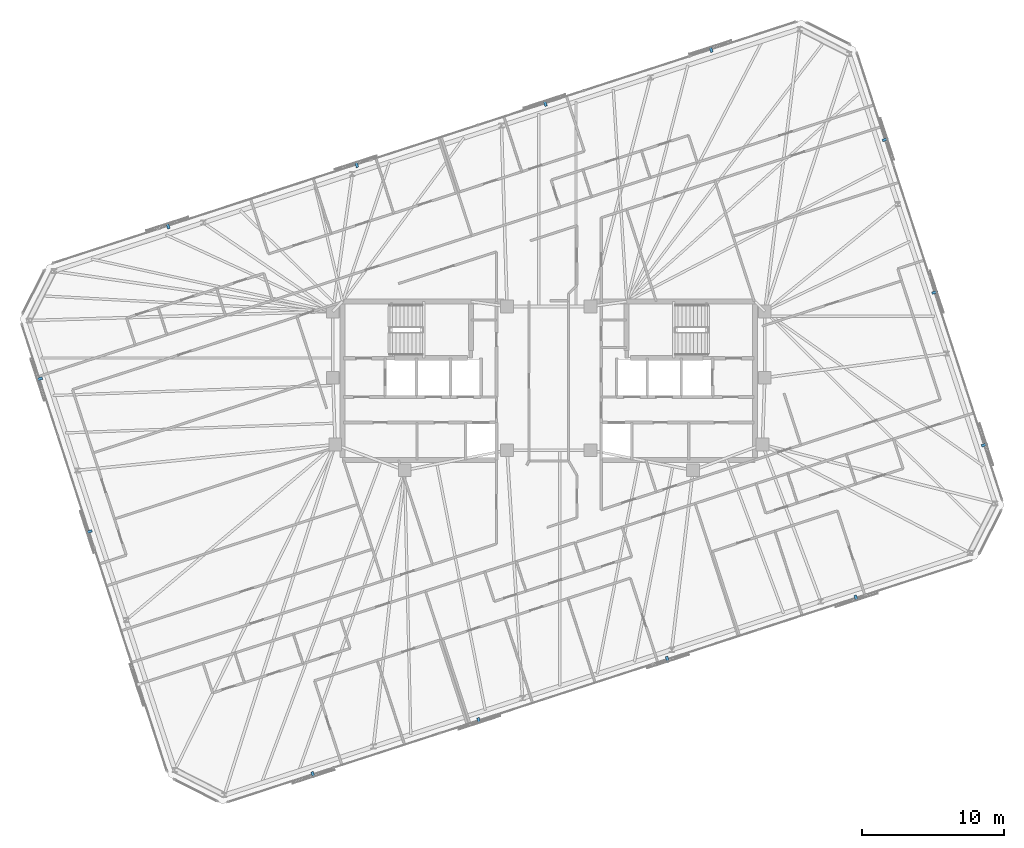
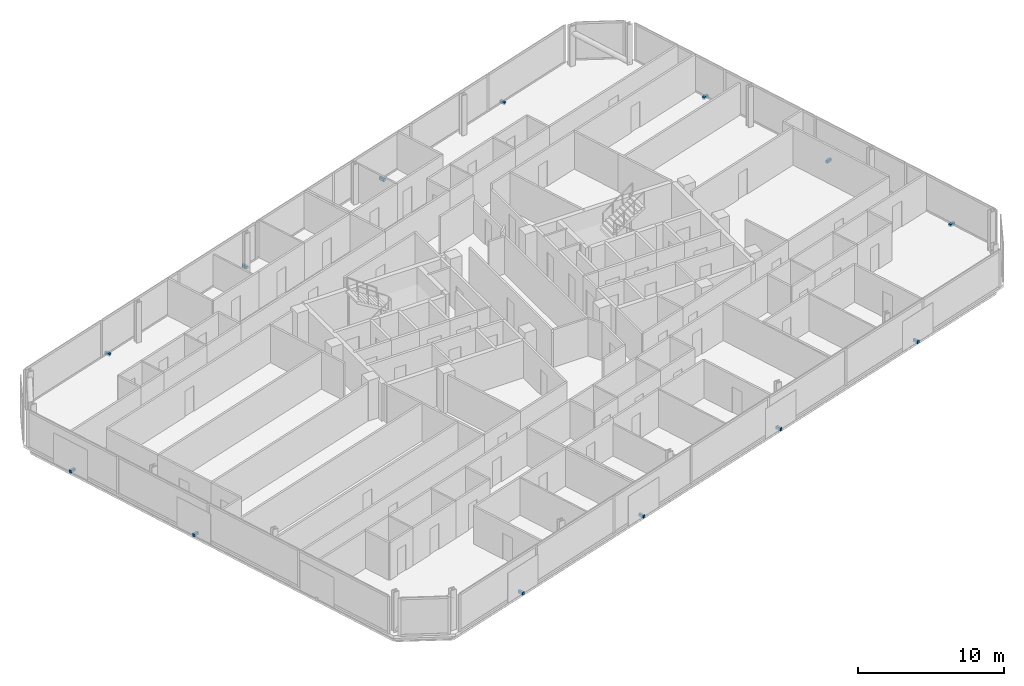
# One storey, part 19 of 20: 13 discrete accessories.
"""IFC4 building model written with IfcOpenShell, lengths in metres."""

import ifcopenshell
import ifcopenshell.guid

model = None  # the IFC model being written
_history = None  # IfcOwnerHistory: only IFC2X3 demands one
_inside = {}  # id of a spatial element -> (the spatial element, [elements in it])
_under = {}  # id of a project, library or spatial element -> (it, [spatial elements below it])
_declared = {}  # id of a project -> (the project, [libraries it declares])
_typed = {}  # id of a type object -> (the type object, [elements of that type])
_made_of = {}  # id of a material, layer set ... -> (it, [elements and type objects made of it])


def new_model(schema):
    """Start an empty IFC model of exactly this schema.

    Asked for "IFC4X3", IfcOpenShell would pick the latest addendum, in which some entities
    have other attributes; the version numbers below select the first issue.
    IFC2X3 requires an IfcOwnerHistory on every rooted entity: one is made here for all.
    """
    global model, _history
    if schema == "IFC4X3":
        model = ifcopenshell.file(schema_version=(4, 3, 0, 0))
    else:
        model = ifcopenshell.file(schema=schema)
    _inside.clear()
    _under.clear()
    _declared.clear()
    _typed.clear()
    _made_of.clear()
    _history = None
    if model.schema == "IFC2X3":
        org = make("IfcOrganization", Name="unknown")
        user = make(
            "IfcPersonAndOrganization",
            ThePerson=make("IfcPerson", FamilyName="unknown"),
            TheOrganization=org,
        )
        app = make(
            "IfcApplication",
            ApplicationDeveloper=org,
            Version="unknown",
            ApplicationFullName="unknown",
            ApplicationIdentifier="unknown",
        )
        _history = make(
            "IfcOwnerHistory",
            OwningUser=user,
            OwningApplication=app,
            ChangeAction="ADDED",
            CreationDate=0,
        )
    return model


def make(cls, **values):
    """One entity of the class cls with the attributes given. An attribute that is None is left unset."""
    return model.create_entity(
        cls, **{name: value for name, value in values.items() if value is not None}
    )


def rooted(cls, **values):
    """An entity with a GlobalId (a new one), such as an element, a storey or a relation."""
    return make(cls, GlobalId=ifcopenshell.guid.new(), OwnerHistory=_history, **values)


def si_unit(unit_type, name, prefix=None):
    """IfcSIUnit, for example si_unit("LENGTHUNIT", "METRE", prefix="MILLI")."""
    return make("IfcSIUnit", UnitType=unit_type, Prefix=prefix, Name=name)


def assignment(units):
    """IfcUnitAssignment: the units of a project."""
    return None if units is None else make("IfcUnitAssignment", Units=units)


def point(xyz):
    """IfcCartesianPoint."""
    return None if xyz is None else make("IfcCartesianPoint", Coordinates=xyz)


def direction(xyz):
    """IfcDirection."""
    return None if xyz is None else make("IfcDirection", DirectionRatios=xyz)


def frame(location, z_axis=None, x_axis=None):
    """IfcAxis2Placement3D, a coordinate frame: its origin and axes. An axis left out is left unset."""
    return make(
        "IfcAxis2Placement3D",
        Location=point(location),
        Axis=direction(z_axis),
        RefDirection=direction(x_axis),
    )


def frame_2d(location, x_axis=None):
    """IfcAxis2Placement2D, a coordinate frame in the plane: its origin and x axis."""
    return make(
        "IfcAxis2Placement2D", Location=point(location), RefDirection=direction(x_axis)
    )


def origin():
    """The frame at (0, 0, 0) with its axes left unset."""
    return frame((0.0, 0.0, 0.0))


def origin_2d():
    """The frame at (0, 0) in the plane with its x axis left unset."""
    return frame_2d((0.0, 0.0))


def place(relative_to, where):
    """IfcLocalPlacement: puts the frame where relative to a parent placement (None: the world)."""
    return make(
        "IfcLocalPlacement", PlacementRelTo=relative_to, RelativePlacement=where
    )


def context(
    kind, dimensions, precision=None, world=None, true_north=None, identifier=None
):
    """IfcGeometricRepresentationContext, for example the 3D "Model" context."""
    return make(
        "IfcGeometricRepresentationContext",
        ContextIdentifier=identifier,
        ContextType=kind,
        CoordinateSpaceDimension=dimensions,
        Precision=precision,
        WorldCoordinateSystem=world,
        TrueNorth=true_north,
    )


def subcontext(parent, identifier, kind, view, scale=None):
    """IfcGeometricRepresentationSubContext, for example "Body" below "Model"."""
    return make(
        "IfcGeometricRepresentationSubContext",
        ContextIdentifier=identifier,
        ContextType=kind,
        ParentContext=parent,
        TargetScale=scale,
        TargetView=view,
    )


def project(units=None, contexts=None):
    """IfcProject with its units and contexts."""
    return rooted(
        "IfcProject",
        Name="project",
        RepresentationContexts=contexts,
        UnitsInContext=assignment(units),
    )


def spatial(cls, under=None, at=None, **own):
    """A site, building, storey or space (cls), placed at a placement, below another one or the project."""
    s = rooted(cls, ObjectPlacement=at, **own)
    if under is not None:
        _under.setdefault(under.id(), (under, []))[1].append(s)
    return s


def profile(cls, at=None, kind="AREA", **sizes):
    """A parametric profile (cls). Its sizes go by their IFC names, for example OverallWidth=200.0."""
    return make(cls, ProfileType=kind, Position=at, **sizes)


def rectangle(**sizes):
    """IfcRectangleProfileDef."""
    return profile("IfcRectangleProfileDef", **sizes)


def extrude(swept, where, along, depth):
    """IfcExtrudedAreaSolid: the profile swept, set in the frame where, extruded along a direction by depth."""
    return make(
        "IfcExtrudedAreaSolid",
        SweptArea=swept,
        Position=where,
        ExtrudedDirection=direction(along),
        Depth=depth,
    )


def shape(context_of_items, identifier, shape_type, items):
    """IfcShapeRepresentation: the items that make up one representation, for example the "Body"."""
    return make(
        "IfcShapeRepresentation",
        ContextOfItems=context_of_items,
        RepresentationIdentifier=identifier,
        RepresentationType=shape_type,
        Items=items,
    )


def material(Name=None, Category=None):
    """IfcMaterial."""
    return make("IfcMaterial", Name=Name, Category=Category)


def made_of(thing, what):
    """Note that an element or type object is made of a material, layer set ...; save() writes the relation."""
    if what is not None:
        _made_of.setdefault(what.id(), (what, []))[1].append(thing)
    return thing


def type_object(cls, material=None, **own):
    """A type object (cls), such as IfcWallType, which elements share."""
    return made_of(rooted(cls, **own), material)


def element(
    cls,
    number,
    at=None,
    inside=None,
    cuts=None,
    type_object=None,
    material=None,
    context=None,
    identifier="Body",
    shape_type=None,
    held_by="IfcProductDefinitionShape",
    body=None,
    shapes=None,
    **own,
):
    """One element of the class cls, such as IfcWall. Its Tag is "e" and its number.

    at: its placement. inside: the storey or other place that contains it. cuts: it is an
    opening in that element (IfcRelVoidsElement). A single representation is given by context,
    identifier, shape_type and body (its items); several are given by shapes. held_by: the class
    of the entity that holds the representations. save() writes the other relations.
    """
    e = rooted(cls, Tag="e%d" % number, ObjectPlacement=at, **own)
    if body is not None:
        shapes = [shape(context, identifier, shape_type, body)]
    if shapes is not None:
        e.Representation = make(held_by, Representations=shapes)
    if inside is not None:
        _inside.setdefault(inside.id(), (inside, []))[1].append(e)
    if cuts is not None:
        rooted(
            "IfcRelVoidsElement", RelatingBuildingElement=cuts, RelatedOpeningElement=e
        )
    if type_object is not None:
        _typed.setdefault(type_object.id(), (type_object, []))[1].append(e)
    return made_of(e, material)


def aggregate(whole, parts):
    """IfcRelAggregates: a whole, such as a stair, and the parts it consists of."""
    return rooted("IfcRelAggregates", RelatingObject=whole, RelatedObjects=parts)


def save(model, path):
    """Write the relations noted so far, then the file.

    IfcRelAggregates (storeys below a building ...), IfcRelContainedInSpatialStructure (elements
    in a storey), IfcRelDefinesByType, IfcRelAssociatesMaterial and IfcRelDeclares: one each for
    every whole, place, type object, material and project.
    """
    for whole, parts in _under.values():
        aggregate(whole, parts)
    for where, things in _inside.values():
        rooted(
            "IfcRelContainedInSpatialStructure",
            RelatedElements=things,
            RelatingStructure=where,
        )
    for kind, things in _typed.values():
        rooted("IfcRelDefinesByType", RelatedObjects=things, RelatingType=kind)
    for what, things in _made_of.values():
        rooted("IfcRelAssociatesMaterial", RelatedObjects=things, RelatingMaterial=what)
    for by, libraries in _declared.values():
        rooted("IfcRelDeclares", RelatingContext=by, RelatedDefinitions=libraries)
    model.write(path)


model = new_model("IFC4")

# Units and contexts
model_context = context("Model", 3, precision=1e-05, world=origin(), true_north=direction((0.0, 1.0)))
body_context = subcontext(model_context, "Body", "Model", "MODEL_VIEW")
ifc_project = project(units=[si_unit("LENGTHUNIT", "METRE"), si_unit("AREAUNIT", "SQUARE_METRE"), si_unit("VOLUMEUNIT", "CUBIC_METRE"), si_unit("PLANEANGLEUNIT", "RADIAN"), si_unit("MASSUNIT", "GRAM", prefix="KILO")], contexts=[model_context])

# Site, building, storey
site_placement = place(None, origin())
site = spatial("IfcSite", under=ifc_project, at=site_placement, CompositionType="ELEMENT")
building_placement = place(site_placement, origin())
building = spatial("IfcBuilding", under=site, at=building_placement, Name="Menara Jurai Vektor", CompositionType="ELEMENT")
storey_placement = place(building_placement, frame((0.0, 0.0, 227.64990234375)))
storey = spatial("IfcBuildingStorey", under=building, at=storey_placement, Name="L60", CompositionType="ELEMENT", Elevation=227.64990234375)

# Discrete accessories
ifc_material = material(Name="Steel S355", Category="steel")
discrete_accessory_type = type_object("IfcDiscreteAccessoryType", Name="ENV-ACC-BRACKET", PredefinedType="BRACKET", material=ifc_material)
for number, where, z_axis, x_axis, name in (
    (1, (-16.655029296875, -27.806396484375, -0.1298828125), (0.0, 0.0, 1.0), (0.951056516295, 0.309016994375, 0.0), "Solar Screen Stand-Off Bracket L60-S01"),
    (2, (-4.93798828125, -23.99951171875, -0.1298828125), (0.0, 0.0, 1.0), (0.951056516295, 0.309016994375, 0.0), "Solar Screen Stand-Off Bracket L60-S02"),
    (3, (8.376708984375, -19.673095703125, -0.1298828125), (0.0, 0.0, 1.0), (0.951056516295, 0.309016994375, 0.0), "Solar Screen Stand-Off Bracket L60-S03"),
    (4, (21.69140625, -15.346923828125, -0.1298828125), (0.0, 0.0, 1.0), (0.951056516295, 0.309016994375, 0.0), "Solar Screen Stand-Off Bracket L60-S04"),
    (5, (30.76220703125, -4.527587890625, -0.1298828125), (0.0, 0.0, 1.0), (-0.309016994375, 0.951056516295, 0.0), "Solar Screen Stand-Off Bracket L60-S05"),
    (6, (27.260009765625, 6.2509765625, -0.1298828125), (0.0, 0.0, 1.0), (-0.309016994375, 0.951056516295, 0.0), "Solar Screen Stand-Off Bracket L60-S06"),
    (7, (23.7578125, 17.029541015625, -0.1298828125), (0.0, 0.0, 1.0), (-0.309016994375, 0.951056516295, 0.0), "Solar Screen Stand-Off Bracket L60-S07"),
    (8, (11.455078125, 23.406494140625, -0.1298828125), (0.0, 0.0, 1.0), (-0.951056516295, -0.309016994375, 0.0), "Solar Screen Stand-Off Bracket L60-S08"),
    (9, (-0.261962890625, 19.599365234375, -0.1298828125), (0.0, 0.0, 1.0), (-0.951056516295, -0.309016994375, 0.0), "Solar Screen Stand-Off Bracket L60-S09"),
    (10, (-13.576904296875, 15.273193359375, -0.1298828125), (0.0, 0.0, 1.0), (-0.951056516295, -0.309016994375, 0.0), "Solar Screen Stand-Off Bracket L60-S10"),
    (11, (-26.8916015625, 10.947021484375, -0.1298828125), (0.0, 0.0, 1.0), (-0.951056516295, -0.309016994375, 0.0), "Solar Screen Stand-Off Bracket L60-S11"),
    (12, (-35.962158203125, 0.127685546875, -0.1298828125), (0.0, 0.0, 1.0), (0.309016994375, -0.951056516295, 0.0), "Solar Screen Stand-Off Bracket L60-S12"),
    (13, (-32.4599609375, -10.65087890625, -0.1298828125), (0.0, 0.0, 1.0), (0.309016994375, -0.951056516295, 0.0), "Solar Screen Stand-Off Bracket L60-S13"),
):
    element("IfcDiscreteAccessory", number, at=place(storey_placement, frame(where, z_axis=z_axis, x_axis=x_axis)), inside=storey, type_object=discrete_accessory_type, Name=name, PredefinedType="BRACKET", context=body_context, shape_type="SweptSolid", body=[
        extrude(rectangle(XDim=0.179931640625, YDim=0.43994140625, at=origin_2d()), origin(), (0.0, 0.0, 1.0), 0.219970703125),
    ])

save(model, "model.ifc")
